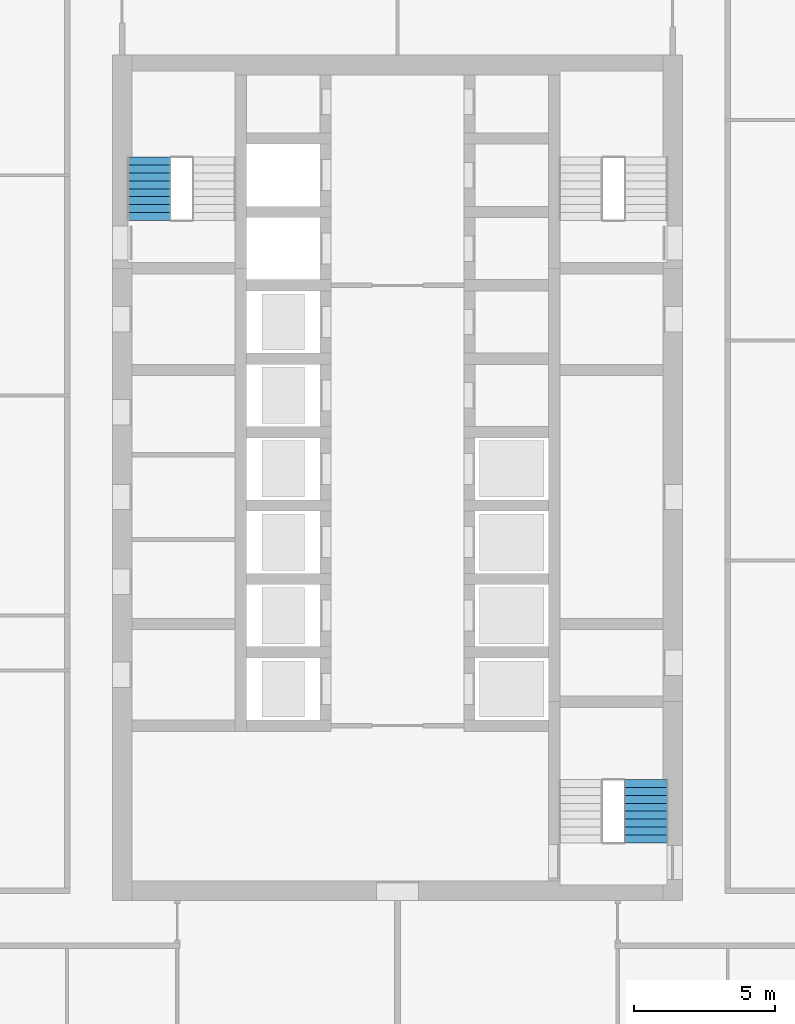
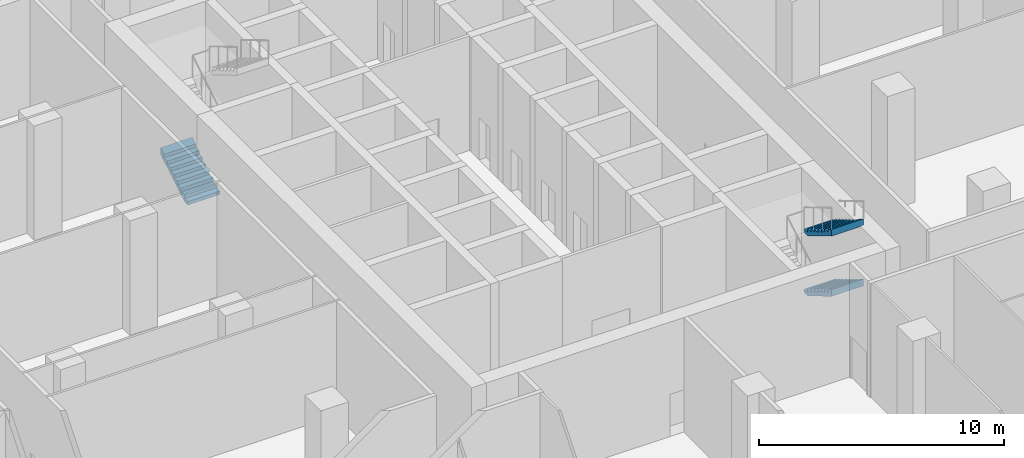
# One storey, part 19 of 32: 3 stair flights, 2 elements without a shape of their own.
"""IFC4 building model written with IfcOpenShell, lengths in metres."""

from ifc_helpers import new_model, si_unit, direction, frame, origin, place, context, subcontext, project, spatial, triangles, material, type_object, element, aggregate, save


model = new_model("IFC4")

# Units and contexts
model_context = context("Model", 3, precision=1e-05, world=origin(), true_north=direction((0.0, 1.0)))
body_context = subcontext(model_context, "Body", "Model", "MODEL_VIEW")
ifc_project = project(units=[si_unit("LENGTHUNIT", "METRE"), si_unit("AREAUNIT", "SQUARE_METRE"), si_unit("VOLUMEUNIT", "CUBIC_METRE"), si_unit("PLANEANGLEUNIT", "RADIAN"), si_unit("MASSUNIT", "GRAM", prefix="KILO")], contexts=[model_context])

# Site, building, storey
site_placement = place(None, origin())
site = spatial("IfcSite", under=ifc_project, at=site_placement, CompositionType="ELEMENT")
building_placement = place(site_placement, origin())
building = spatial("IfcBuilding", under=site, at=building_placement, Name="Ludao Terraces", CompositionType="ELEMENT")
storey_placement = place(building_placement, origin())
storey = spatial("IfcBuildingStorey", under=building, at=storey_placement, Name="L00", CompositionType="ELEMENT", Elevation=0.0)

# Stair, stair flight
ifc_material = material(Name="Concrete C40", Category="concrete")
stair_type = type_object("IfcStairType", Name="INT Stair", PredefinedType="HALF_TURN_STAIR", material=ifc_material)
stair_1_placement = place(storey_placement, origin())
stair_1 = element("IfcStair", 1, at=stair_1_placement, inside=storey, type_object=stair_type, Name="EXIT STAIR 1", PredefinedType="HALF_TURN_STAIR")
stair_flight_type = type_object("IfcStairFlightType", Name="INT Stair flight", PredefinedType="STRAIGHT", material=ifc_material)
stair_flight_1_placement = place(storey_placement, frame((76.199951171875, 79.0, 0.0), z_axis=(0.0, 0.0, 1.0), x_axis=(0.0, 1.0, 0.0)))
stair_flight_1 = element("IfcStairFlight", 2, at=stair_flight_1_placement, type_object=stair_flight_type, Name="ST1 flight 1", NumberOfRisers=9, NumberOfTreads=8, PredefinedType="STRAIGHT", RiserHeight=0.166667, TreadLength=0.28, context=body_context, shape_type="Tessellation", body=[
    triangles([(0.0, -0.75, 0.0), (0.0, -0.5, 0.0), (0.0, -0.25, 0.0), (0.0, 0.0, 0.0), (0.0, 0.25, 0.0), (0.0, 0.5, 0.0), (0.0, 0.75, 0.0), (0.0, -0.75, 0.166748046875), (0.0, -0.5, 0.166748046875), (0.0, -0.25, 0.166748046875), (0.0, 0.0, 0.166748046875), (0.0, 0.25, 0.166748046875), (0.0, 0.5, 0.166748046875), (0.0, 0.75, 0.166748046875), (0.280029296875, -0.75, 0.166748046875), (0.280029296875, -0.5, 0.166748046875), (0.280029296875, -0.25, 0.166748046875), (0.280029296875, 0.0, 0.166748046875), (0.280029296875, 0.25, 0.166748046875), (0.280029296875, 0.5, 0.166748046875), (0.280029296875, 0.75, 0.166748046875), (0.280029296875, -0.75, 0.333251953125), (0.280029296875, -0.5, 0.333251953125), (0.280029296875, -0.25, 0.333251953125), (0.280029296875, 0.0, 0.333251953125), (0.280029296875, 0.25, 0.333251953125), (0.280029296875, 0.5, 0.333251953125), (0.280029296875, 0.75, 0.333251953125), (0.56005859375, -0.75, 0.333251953125), (0.56005859375, -0.5, 0.333251953125), (0.56005859375, -0.25, 0.333251953125), (0.56005859375, 0.0, 0.333251953125), (0.56005859375, 0.25, 0.333251953125), (0.56005859375, 0.5, 0.333251953125), (0.56005859375, 0.75, 0.333251953125), (0.56005859375, -0.75, 0.5), (0.56005859375, -0.5, 0.5), (0.56005859375, -0.25, 0.5), (0.56005859375, 0.0, 0.5), (0.56005859375, 0.25, 0.5), (0.56005859375, 0.5, 0.5), (0.56005859375, 0.75, 0.5), (0.840087890625, -0.75, 0.5), (0.840087890625, -0.5, 0.5), (0.840087890625, -0.25, 0.5), (0.840087890625, 0.0, 0.5), (0.840087890625, 0.25, 0.5), (0.840087890625, 0.5, 0.5), (0.840087890625, 0.75, 0.5), (0.840087890625, -0.75, 0.666748046875), (0.840087890625, -0.5, 0.666748046875), (0.840087890625, -0.25, 0.666748046875), (0.840087890625, 0.0, 0.666748046875), (0.840087890625, 0.25, 0.666748046875), (0.840087890625, 0.5, 0.666748046875), (0.840087890625, 0.75, 0.666748046875), (1.1201171875, -0.75, 0.666748046875), (1.1201171875, -0.5, 0.666748046875), (1.1201171875, -0.25, 0.666748046875), (1.1201171875, 0.0, 0.666748046875), (1.1201171875, 0.25, 0.666748046875), (1.1201171875, 0.5, 0.666748046875), (1.1201171875, 0.75, 0.666748046875), (1.1201171875, -0.75, 0.833251953125), (1.1201171875, -0.5, 0.833251953125), (1.1201171875, -0.25, 0.833251953125), (1.1201171875, 0.0, 0.833251953125), (1.1201171875, 0.25, 0.833251953125), (1.1201171875, 0.5, 0.833251953125), (1.1201171875, 0.75, 0.833251953125), (1.39990234375, -0.75, 0.833251953125), (1.39990234375, -0.5, 0.833251953125), (1.39990234375, -0.25, 0.833251953125), (1.39990234375, 0.0, 0.833251953125), (1.39990234375, 0.25, 0.833251953125), (1.39990234375, 0.5, 0.833251953125), (1.39990234375, 0.75, 0.833251953125), (1.39990234375, -0.75, 1.0), (1.39990234375, -0.5, 1.0), (1.39990234375, -0.25, 1.0), (1.39990234375, 0.0, 1.0), (1.39990234375, 0.25, 1.0), (1.39990234375, 0.5, 1.0), (1.39990234375, 0.75, 1.0), (1.679931640625, -0.75, 1.0), (1.679931640625, -0.5, 1.0), (1.679931640625, -0.25, 1.0), (1.679931640625, 0.0, 1.0), (1.679931640625, 0.25, 1.0), (1.679931640625, 0.5, 1.0), (1.679931640625, 0.75, 1.0), (1.679931640625, -0.75, 1.166748046875), (1.679931640625, -0.5, 1.166748046875), (1.679931640625, -0.25, 1.166748046875), (1.679931640625, 0.0, 1.166748046875), (1.679931640625, 0.25, 1.166748046875), (1.679931640625, 0.5, 1.166748046875), (1.679931640625, 0.75, 1.166748046875), (1.9599609375, -0.75, 1.166748046875), (1.9599609375, -0.5, 1.166748046875), (1.9599609375, -0.25, 1.166748046875), (1.9599609375, 0.0, 1.166748046875), (1.9599609375, 0.25, 1.166748046875), (1.9599609375, 0.5, 1.166748046875), (1.9599609375, 0.75, 1.166748046875), (1.9599609375, -0.75, 1.333251953125), (1.9599609375, -0.5, 1.333251953125), (1.9599609375, -0.25, 1.333251953125), (1.9599609375, 0.0, 1.333251953125), (1.9599609375, 0.25, 1.333251953125), (1.9599609375, 0.5, 1.333251953125), (1.9599609375, 0.75, 1.333251953125), (2.239990234375, -0.75, 1.5), (2.239990234375, -0.5, 1.5), (2.239990234375, -0.25, 1.5), (2.239990234375, 0.0, 1.5), (2.239990234375, 0.25, 1.5), (2.239990234375, 0.5, 1.5), (2.239990234375, 0.75, 1.5), (2.239990234375, -0.75, 1.158935546875), (2.239990234375, -0.5, 1.158935546875), (2.239990234375, -0.25, 1.158935546875), (2.239990234375, 0.0, 1.158935546875), (2.239990234375, 0.25, 1.158935546875), (2.239990234375, 0.5, 1.158935546875), (2.239990234375, 0.75, 1.158935546875), (0.29296875, -0.75, 0.0), (0.29296875, -0.5, 0.0), (0.29296875, -0.25, 0.0), (0.29296875, 0.0, 0.0), (0.29296875, 0.25, 0.0), (0.29296875, 0.5, 0.0), (0.29296875, 0.75, 0.0)], [[1, 127, 120], [7, 126, 133], [120, 113, 106], [126, 112, 119], [120, 106, 99], [126, 105, 112], [120, 99, 92], [126, 98, 105], [120, 92, 85], [126, 91, 98], [85, 78, 71], [91, 77, 84], [120, 85, 71], [126, 77, 91], [71, 64, 57], [77, 63, 70], [120, 71, 57], [126, 63, 77], [57, 50, 43], [63, 49, 56], [120, 57, 43], [126, 49, 63], [43, 36, 29], [49, 35, 42], [120, 43, 29], [126, 35, 49], [1, 120, 29], [7, 35, 126], [29, 22, 15], [35, 21, 28], [1, 29, 15], [7, 21, 35], [15, 8, 1], [21, 7, 14], [1, 9, 2], [1, 8, 9], [2, 10, 3], [2, 9, 10], [3, 11, 4], [3, 10, 11], [4, 12, 5], [4, 11, 12], [5, 13, 6], [5, 12, 13], [6, 14, 7], [6, 13, 14], [8, 16, 9], [8, 15, 16], [9, 17, 10], [9, 16, 17], [10, 18, 11], [10, 17, 18], [11, 19, 12], [11, 18, 19], [12, 20, 13], [12, 19, 20], [13, 21, 14], [13, 20, 21], [15, 23, 16], [15, 22, 23], [16, 24, 17], [16, 23, 24], [17, 25, 18], [17, 24, 25], [18, 26, 19], [18, 25, 26], [19, 27, 20], [19, 26, 27], [20, 28, 21], [20, 27, 28], [22, 30, 23], [22, 29, 30], [23, 31, 24], [23, 30, 31], [24, 32, 25], [24, 31, 32], [25, 33, 26], [25, 32, 33], [26, 34, 27], [26, 33, 34], [27, 35, 28], [27, 34, 35], [29, 37, 30], [29, 36, 37], [30, 38, 31], [30, 37, 38], [31, 39, 32], [31, 38, 39], [32, 40, 33], [32, 39, 40], [33, 41, 34], [33, 40, 41], [34, 42, 35], [34, 41, 42], [36, 44, 37], [36, 43, 44], [37, 45, 38], [37, 44, 45], [38, 46, 39], [38, 45, 46], [39, 47, 40], [39, 46, 47], [40, 48, 41], [40, 47, 48], [41, 49, 42], [41, 48, 49], [43, 51, 44], [43, 50, 51], [44, 52, 45], [44, 51, 52], [45, 53, 46], [45, 52, 53], [46, 54, 47], [46, 53, 54], [47, 55, 48], [47, 54, 55], [48, 56, 49], [48, 55, 56], [50, 58, 51], [50, 57, 58], [51, 59, 52], [51, 58, 59], [52, 60, 53], [52, 59, 60], [53, 61, 54], [53, 60, 61], [54, 62, 55], [54, 61, 62], [55, 63, 56], [55, 62, 63], [57, 65, 58], [57, 64, 65], [58, 66, 59], [58, 65, 66], [59, 67, 60], [59, 66, 67], [60, 68, 61], [60, 67, 68], [61, 69, 62], [61, 68, 69], [62, 70, 63], [62, 69, 70], [64, 72, 65], [64, 71, 72], [65, 73, 66], [65, 72, 73], [66, 74, 67], [66, 73, 74], [67, 75, 68], [67, 74, 75], [68, 76, 69], [68, 75, 76], [69, 77, 70], [69, 76, 77], [71, 79, 72], [71, 78, 79], [72, 80, 73], [72, 79, 80], [73, 81, 74], [73, 80, 81], [74, 82, 75], [74, 81, 82], [75, 83, 76], [75, 82, 83], [76, 84, 77], [76, 83, 84], [78, 86, 79], [78, 85, 86], [79, 87, 80], [79, 86, 87], [80, 88, 81], [80, 87, 88], [81, 89, 82], [81, 88, 89], [82, 90, 83], [82, 89, 90], [83, 91, 84], [83, 90, 91], [85, 93, 86], [85, 92, 93], [86, 94, 87], [86, 93, 94], [87, 95, 88], [87, 94, 95], [88, 96, 89], [88, 95, 96], [89, 97, 90], [89, 96, 97], [90, 98, 91], [90, 97, 98], [92, 100, 93], [92, 99, 100], [93, 101, 94], [93, 100, 101], [94, 102, 95], [94, 101, 102], [95, 103, 96], [95, 102, 103], [96, 104, 97], [96, 103, 104], [97, 105, 98], [97, 104, 105], [99, 107, 100], [99, 106, 107], [100, 108, 101], [100, 107, 108], [101, 109, 102], [101, 108, 109], [102, 110, 103], [102, 109, 110], [103, 111, 104], [103, 110, 111], [104, 112, 105], [104, 111, 112], [106, 114, 107], [106, 113, 114], [107, 115, 108], [107, 114, 115], [108, 116, 109], [108, 115, 116], [109, 117, 110], [109, 116, 117], [110, 118, 111], [110, 117, 118], [111, 119, 112], [111, 118, 119], [113, 121, 114], [113, 120, 121], [114, 122, 115], [114, 121, 122], [115, 123, 116], [115, 122, 123], [116, 124, 117], [116, 123, 124], [117, 125, 118], [117, 124, 125], [118, 126, 119], [118, 125, 126], [120, 128, 121], [120, 127, 128], [121, 129, 122], [121, 128, 129], [122, 130, 123], [122, 129, 130], [123, 131, 124], [123, 130, 131], [124, 132, 125], [124, 131, 132], [125, 133, 126], [125, 132, 133], [127, 2, 128], [127, 1, 2], [128, 3, 129], [128, 2, 3], [129, 4, 130], [129, 3, 4], [130, 5, 131], [130, 4, 5], [131, 6, 132], [131, 5, 6], [132, 7, 133], [132, 6, 7]], closed=True),
])
aggregate(stair_1, [stair_flight_1])

# Stair, stair flights
stair_2_placement = place(storey_placement, origin())
stair_2 = element("IfcStair", 3, at=stair_2_placement, inside=storey, type_object=stair_type, Name="EXIT STAIR 3", PredefinedType="HALF_TURN_STAIR")
stair_flight_2_placement = place(storey_placement, frame((93.800048828125, 59.18994140625, 1.5), z_axis=(0.0, 0.0, 1.0), x_axis=(0.0, -1.0, 0.0)))
stair_flight_2 = element("IfcStairFlight", 4, at=stair_flight_2_placement, type_object=stair_flight_type, Name="ST3 flight 2", NumberOfRisers=9, NumberOfTreads=8, PredefinedType="STRAIGHT", RiserHeight=0.166667, TreadLength=0.28, context=body_context, shape_type="Tessellation", body=[
    triangles([(0.0, -0.75, 0.0), (0.0, -0.5, 0.0), (0.0, -0.25, 0.0), (0.0, 0.0, 0.0), (0.0, 0.25, 0.0), (0.0, 0.5, 0.0), (0.0, 0.75, 0.0), (0.0, -0.75, 0.166748046875), (0.0, -0.5, 0.166748046875), (0.0, -0.25, 0.166748046875), (0.0, 0.0, 0.166748046875), (0.0, 0.25, 0.166748046875), (0.0, 0.5, 0.166748046875), (0.0, 0.75, 0.166748046875), (0.280029296875, -0.75, 0.166748046875), (0.280029296875, -0.5, 0.166748046875), (0.280029296875, -0.25, 0.166748046875), (0.280029296875, 0.0, 0.166748046875), (0.280029296875, 0.25, 0.166748046875), (0.280029296875, 0.5, 0.166748046875), (0.280029296875, 0.75, 0.166748046875), (0.280029296875, -0.75, 0.333251953125), (0.280029296875, -0.5, 0.333251953125), (0.280029296875, -0.25, 0.333251953125), (0.280029296875, 0.0, 0.333251953125), (0.280029296875, 0.25, 0.333251953125), (0.280029296875, 0.5, 0.333251953125), (0.280029296875, 0.75, 0.333251953125), (0.56005859375, -0.75, 0.333251953125), (0.56005859375, -0.5, 0.333251953125), (0.56005859375, -0.25, 0.333251953125), (0.56005859375, 0.0, 0.333251953125), (0.56005859375, 0.25, 0.333251953125), (0.56005859375, 0.5, 0.333251953125), (0.56005859375, 0.75, 0.333251953125), (0.56005859375, -0.75, 0.5), (0.56005859375, -0.5, 0.5), (0.56005859375, -0.25, 0.5), (0.56005859375, 0.0, 0.5), (0.56005859375, 0.25, 0.5), (0.56005859375, 0.5, 0.5), (0.56005859375, 0.75, 0.5), (0.840087890625, -0.75, 0.5), (0.840087890625, -0.5, 0.5), (0.840087890625, -0.25, 0.5), (0.840087890625, 0.0, 0.5), (0.840087890625, 0.25, 0.5), (0.840087890625, 0.5, 0.5), (0.840087890625, 0.75, 0.5), (0.840087890625, -0.75, 0.666748046875), (0.840087890625, -0.5, 0.666748046875), (0.840087890625, -0.25, 0.666748046875), (0.840087890625, 0.0, 0.666748046875), (0.840087890625, 0.25, 0.666748046875), (0.840087890625, 0.5, 0.666748046875), (0.840087890625, 0.75, 0.666748046875), (1.1201171875, -0.75, 0.666748046875), (1.1201171875, -0.5, 0.666748046875), (1.1201171875, -0.25, 0.666748046875), (1.1201171875, 0.0, 0.666748046875), (1.1201171875, 0.25, 0.666748046875), (1.1201171875, 0.5, 0.666748046875), (1.1201171875, 0.75, 0.666748046875), (1.1201171875, -0.75, 0.833251953125), (1.1201171875, -0.5, 0.833251953125), (1.1201171875, -0.25, 0.833251953125), (1.1201171875, 0.0, 0.833251953125), (1.1201171875, 0.25, 0.833251953125), (1.1201171875, 0.5, 0.833251953125), (1.1201171875, 0.75, 0.833251953125), (1.39990234375, -0.75, 0.833251953125), (1.39990234375, -0.5, 0.833251953125), (1.39990234375, -0.25, 0.833251953125), (1.39990234375, 0.0, 0.833251953125), (1.39990234375, 0.25, 0.833251953125), (1.39990234375, 0.5, 0.833251953125), (1.39990234375, 0.75, 0.833251953125), (1.39990234375, -0.75, 1.0), (1.39990234375, -0.5, 1.0), (1.39990234375, -0.25, 1.0), (1.39990234375, 0.0, 1.0), (1.39990234375, 0.25, 1.0), (1.39990234375, 0.5, 1.0), (1.39990234375, 0.75, 1.0), (1.679931640625, -0.75, 1.0), (1.679931640625, -0.5, 1.0), (1.679931640625, -0.25, 1.0), (1.679931640625, 0.0, 1.0), (1.679931640625, 0.25, 1.0), (1.679931640625, 0.5, 1.0), (1.679931640625, 0.75, 1.0), (1.679931640625, -0.75, 1.166748046875), (1.679931640625, -0.5, 1.166748046875), (1.679931640625, -0.25, 1.166748046875), (1.679931640625, 0.0, 1.166748046875), (1.679931640625, 0.25, 1.166748046875), (1.679931640625, 0.5, 1.166748046875), (1.679931640625, 0.75, 1.166748046875), (1.9599609375, -0.75, 1.166748046875), (1.9599609375, -0.5, 1.166748046875), (1.9599609375, -0.25, 1.166748046875), (1.9599609375, 0.0, 1.166748046875), (1.9599609375, 0.25, 1.166748046875), (1.9599609375, 0.5, 1.166748046875), (1.9599609375, 0.75, 1.166748046875), (1.9599609375, -0.75, 1.333251953125), (1.9599609375, -0.5, 1.333251953125), (1.9599609375, -0.25, 1.333251953125), (1.9599609375, 0.0, 1.333251953125), (1.9599609375, 0.25, 1.333251953125), (1.9599609375, 0.5, 1.333251953125), (1.9599609375, 0.75, 1.333251953125), (2.239990234375, -0.75, 1.5), (2.239990234375, -0.5, 1.5), (2.239990234375, -0.25, 1.5), (2.239990234375, 0.0, 1.5), (2.239990234375, 0.25, 1.5), (2.239990234375, 0.5, 1.5), (2.239990234375, 0.75, 1.5), (2.239990234375, -0.75, 1.158935546875), (2.239990234375, -0.5, 1.158935546875), (2.239990234375, -0.25, 1.158935546875), (2.239990234375, 0.0, 1.158935546875), (2.239990234375, 0.25, 1.158935546875), (2.239990234375, 0.5, 1.158935546875), (2.239990234375, 0.75, 1.158935546875), (0.29296875, -0.75, 0.0), (0.29296875, -0.5, 0.0), (0.29296875, -0.25, 0.0), (0.29296875, 0.0, 0.0), (0.29296875, 0.25, 0.0), (0.29296875, 0.5, 0.0), (0.29296875, 0.75, 0.0)], [[1, 127, 120], [7, 126, 133], [120, 113, 106], [126, 112, 119], [120, 106, 99], [126, 105, 112], [120, 99, 92], [126, 98, 105], [120, 92, 85], [126, 91, 98], [85, 78, 71], [91, 77, 84], [120, 85, 71], [126, 77, 91], [71, 64, 57], [77, 63, 70], [120, 71, 57], [126, 63, 77], [57, 50, 43], [63, 49, 56], [120, 57, 43], [126, 49, 63], [43, 36, 29], [49, 35, 42], [120, 43, 29], [126, 35, 49], [1, 120, 29], [7, 35, 126], [29, 22, 15], [35, 21, 28], [1, 29, 15], [7, 21, 35], [15, 8, 1], [21, 7, 14], [1, 9, 2], [1, 8, 9], [2, 10, 3], [2, 9, 10], [3, 11, 4], [3, 10, 11], [4, 12, 5], [4, 11, 12], [5, 13, 6], [5, 12, 13], [6, 14, 7], [6, 13, 14], [8, 16, 9], [8, 15, 16], [9, 17, 10], [9, 16, 17], [10, 18, 11], [10, 17, 18], [11, 19, 12], [11, 18, 19], [12, 20, 13], [12, 19, 20], [13, 21, 14], [13, 20, 21], [15, 23, 16], [15, 22, 23], [16, 24, 17], [16, 23, 24], [17, 25, 18], [17, 24, 25], [18, 26, 19], [18, 25, 26], [19, 27, 20], [19, 26, 27], [20, 28, 21], [20, 27, 28], [22, 30, 23], [22, 29, 30], [23, 31, 24], [23, 30, 31], [24, 32, 25], [24, 31, 32], [25, 33, 26], [25, 32, 33], [26, 34, 27], [26, 33, 34], [27, 35, 28], [27, 34, 35], [29, 37, 30], [29, 36, 37], [30, 38, 31], [30, 37, 38], [31, 39, 32], [31, 38, 39], [32, 40, 33], [32, 39, 40], [33, 41, 34], [33, 40, 41], [34, 42, 35], [34, 41, 42], [36, 44, 37], [36, 43, 44], [37, 45, 38], [37, 44, 45], [38, 46, 39], [38, 45, 46], [39, 47, 40], [39, 46, 47], [40, 48, 41], [40, 47, 48], [41, 49, 42], [41, 48, 49], [43, 51, 44], [43, 50, 51], [44, 52, 45], [44, 51, 52], [45, 53, 46], [45, 52, 53], [46, 54, 47], [46, 53, 54], [47, 55, 48], [47, 54, 55], [48, 56, 49], [48, 55, 56], [50, 58, 51], [50, 57, 58], [51, 59, 52], [51, 58, 59], [52, 60, 53], [52, 59, 60], [53, 61, 54], [53, 60, 61], [54, 62, 55], [54, 61, 62], [55, 63, 56], [55, 62, 63], [57, 65, 58], [57, 64, 65], [58, 66, 59], [58, 65, 66], [59, 67, 60], [59, 66, 67], [60, 68, 61], [60, 67, 68], [61, 69, 62], [61, 68, 69], [62, 70, 63], [62, 69, 70], [64, 72, 65], [64, 71, 72], [65, 73, 66], [65, 72, 73], [66, 74, 67], [66, 73, 74], [67, 75, 68], [67, 74, 75], [68, 76, 69], [68, 75, 76], [69, 77, 70], [69, 76, 77], [71, 79, 72], [71, 78, 79], [72, 80, 73], [72, 79, 80], [73, 81, 74], [73, 80, 81], [74, 82, 75], [74, 81, 82], [75, 83, 76], [75, 82, 83], [76, 84, 77], [76, 83, 84], [78, 86, 79], [78, 85, 86], [79, 87, 80], [79, 86, 87], [80, 88, 81], [80, 87, 88], [81, 89, 82], [81, 88, 89], [82, 90, 83], [82, 89, 90], [83, 91, 84], [83, 90, 91], [85, 93, 86], [85, 92, 93], [86, 94, 87], [86, 93, 94], [87, 95, 88], [87, 94, 95], [88, 96, 89], [88, 95, 96], [89, 97, 90], [89, 96, 97], [90, 98, 91], [90, 97, 98], [92, 100, 93], [92, 99, 100], [93, 101, 94], [93, 100, 101], [94, 102, 95], [94, 101, 102], [95, 103, 96], [95, 102, 103], [96, 104, 97], [96, 103, 104], [97, 105, 98], [97, 104, 105], [99, 107, 100], [99, 106, 107], [100, 108, 101], [100, 107, 108], [101, 109, 102], [101, 108, 109], [102, 110, 103], [102, 109, 110], [103, 111, 104], [103, 110, 111], [104, 112, 105], [104, 111, 112], [106, 114, 107], [106, 113, 114], [107, 115, 108], [107, 114, 115], [108, 116, 109], [108, 115, 116], [109, 117, 110], [109, 116, 117], [110, 118, 111], [110, 117, 118], [111, 119, 112], [111, 118, 119], [113, 121, 114], [113, 120, 121], [114, 122, 115], [114, 121, 122], [115, 123, 116], [115, 122, 123], [116, 124, 117], [116, 123, 124], [117, 125, 118], [117, 124, 125], [118, 126, 119], [118, 125, 126], [120, 128, 121], [120, 127, 128], [121, 129, 122], [121, 128, 129], [122, 130, 123], [122, 129, 130], [123, 131, 124], [123, 130, 131], [124, 132, 125], [124, 131, 132], [125, 133, 126], [125, 132, 133], [127, 2, 128], [127, 1, 2], [128, 3, 129], [128, 2, 3], [129, 4, 130], [129, 3, 4], [130, 5, 131], [130, 4, 5], [131, 6, 132], [131, 5, 6], [132, 7, 133], [132, 6, 7]], closed=True),
])
stair_flight_3_placement = place(storey_placement, frame((93.800048828125, 59.18994140625, 4.5), z_axis=(0.0, 0.0, 1.0), x_axis=(0.0, -1.0, 0.0)))
stair_flight_3 = element("IfcStairFlight", 5, at=stair_flight_3_placement, type_object=stair_flight_type, Name="ST3 flight 4", NumberOfRisers=9, NumberOfTreads=8, PredefinedType="STRAIGHT", RiserHeight=0.166667, TreadLength=0.28, context=body_context, shape_type="Tessellation", body=[
    triangles([(0.0, -0.75, 0.0), (0.0, -0.5, 0.0), (0.0, -0.25, 0.0), (0.0, 0.0, 0.0), (0.0, 0.25, 0.0), (0.0, 0.5, 0.0), (0.0, 0.75, 0.0), (0.0, -0.75, 0.166748046875), (0.0, -0.5, 0.166748046875), (0.0, -0.25, 0.166748046875), (0.0, 0.0, 0.166748046875), (0.0, 0.25, 0.166748046875), (0.0, 0.5, 0.166748046875), (0.0, 0.75, 0.166748046875), (0.280029296875, -0.75, 0.166748046875), (0.280029296875, -0.5, 0.166748046875), (0.280029296875, -0.25, 0.166748046875), (0.280029296875, 0.0, 0.166748046875), (0.280029296875, 0.25, 0.166748046875), (0.280029296875, 0.5, 0.166748046875), (0.280029296875, 0.75, 0.166748046875), (0.280029296875, -0.75, 0.333251953125), (0.280029296875, -0.5, 0.333251953125), (0.280029296875, -0.25, 0.333251953125), (0.280029296875, 0.0, 0.333251953125), (0.280029296875, 0.25, 0.333251953125), (0.280029296875, 0.5, 0.333251953125), (0.280029296875, 0.75, 0.333251953125), (0.56005859375, -0.75, 0.333251953125), (0.56005859375, -0.5, 0.333251953125), (0.56005859375, -0.25, 0.333251953125), (0.56005859375, 0.0, 0.333251953125), (0.56005859375, 0.25, 0.333251953125), (0.56005859375, 0.5, 0.333251953125), (0.56005859375, 0.75, 0.333251953125), (0.56005859375, -0.75, 0.5), (0.56005859375, -0.5, 0.5), (0.56005859375, -0.25, 0.5), (0.56005859375, 0.0, 0.5), (0.56005859375, 0.25, 0.5), (0.56005859375, 0.5, 0.5), (0.56005859375, 0.75, 0.5), (0.840087890625, -0.75, 0.5), (0.840087890625, -0.5, 0.5), (0.840087890625, -0.25, 0.5), (0.840087890625, 0.0, 0.5), (0.840087890625, 0.25, 0.5), (0.840087890625, 0.5, 0.5), (0.840087890625, 0.75, 0.5), (0.840087890625, -0.75, 0.666748046875), (0.840087890625, -0.5, 0.666748046875), (0.840087890625, -0.25, 0.666748046875), (0.840087890625, 0.0, 0.666748046875), (0.840087890625, 0.25, 0.666748046875), (0.840087890625, 0.5, 0.666748046875), (0.840087890625, 0.75, 0.666748046875), (1.1201171875, -0.75, 0.666748046875), (1.1201171875, -0.5, 0.666748046875), (1.1201171875, -0.25, 0.666748046875), (1.1201171875, 0.0, 0.666748046875), (1.1201171875, 0.25, 0.666748046875), (1.1201171875, 0.5, 0.666748046875), (1.1201171875, 0.75, 0.666748046875), (1.1201171875, -0.75, 0.833251953125), (1.1201171875, -0.5, 0.833251953125), (1.1201171875, -0.25, 0.833251953125), (1.1201171875, 0.0, 0.833251953125), (1.1201171875, 0.25, 0.833251953125), (1.1201171875, 0.5, 0.833251953125), (1.1201171875, 0.75, 0.833251953125), (1.39990234375, -0.75, 0.833251953125), (1.39990234375, -0.5, 0.833251953125), (1.39990234375, -0.25, 0.833251953125), (1.39990234375, 0.0, 0.833251953125), (1.39990234375, 0.25, 0.833251953125), (1.39990234375, 0.5, 0.833251953125), (1.39990234375, 0.75, 0.833251953125), (1.39990234375, -0.75, 1.0), (1.39990234375, -0.5, 1.0), (1.39990234375, -0.25, 1.0), (1.39990234375, 0.0, 1.0), (1.39990234375, 0.25, 1.0), (1.39990234375, 0.5, 1.0), (1.39990234375, 0.75, 1.0), (1.679931640625, -0.75, 1.0), (1.679931640625, -0.5, 1.0), (1.679931640625, -0.25, 1.0), (1.679931640625, 0.0, 1.0), (1.679931640625, 0.25, 1.0), (1.679931640625, 0.5, 1.0), (1.679931640625, 0.75, 1.0), (1.679931640625, -0.75, 1.166748046875), (1.679931640625, -0.5, 1.166748046875), (1.679931640625, -0.25, 1.166748046875), (1.679931640625, 0.0, 1.166748046875), (1.679931640625, 0.25, 1.166748046875), (1.679931640625, 0.5, 1.166748046875), (1.679931640625, 0.75, 1.166748046875), (1.9599609375, -0.75, 1.166748046875), (1.9599609375, -0.5, 1.166748046875), (1.9599609375, -0.25, 1.166748046875), (1.9599609375, 0.0, 1.166748046875), (1.9599609375, 0.25, 1.166748046875), (1.9599609375, 0.5, 1.166748046875), (1.9599609375, 0.75, 1.166748046875), (1.9599609375, -0.75, 1.333251953125), (1.9599609375, -0.5, 1.333251953125), (1.9599609375, -0.25, 1.333251953125), (1.9599609375, 0.0, 1.333251953125), (1.9599609375, 0.25, 1.333251953125), (1.9599609375, 0.5, 1.333251953125), (1.9599609375, 0.75, 1.333251953125), (2.239990234375, -0.75, 1.5), (2.239990234375, -0.5, 1.5), (2.239990234375, -0.25, 1.5), (2.239990234375, 0.0, 1.5), (2.239990234375, 0.25, 1.5), (2.239990234375, 0.5, 1.5), (2.239990234375, 0.75, 1.5), (2.239990234375, -0.75, 1.158935546875), (2.239990234375, -0.5, 1.158935546875), (2.239990234375, -0.25, 1.158935546875), (2.239990234375, 0.0, 1.158935546875), (2.239990234375, 0.25, 1.158935546875), (2.239990234375, 0.5, 1.158935546875), (2.239990234375, 0.75, 1.158935546875), (0.29296875, -0.75, 0.0), (0.29296875, -0.5, 0.0), (0.29296875, -0.25, 0.0), (0.29296875, 0.0, 0.0), (0.29296875, 0.25, 0.0), (0.29296875, 0.5, 0.0), (0.29296875, 0.75, 0.0)], [[1, 127, 120], [7, 126, 133], [120, 113, 106], [126, 112, 119], [120, 106, 99], [126, 105, 112], [120, 99, 92], [126, 98, 105], [120, 92, 85], [126, 91, 98], [85, 78, 71], [91, 77, 84], [120, 85, 71], [126, 77, 91], [71, 64, 57], [77, 63, 70], [120, 71, 57], [126, 63, 77], [57, 50, 43], [63, 49, 56], [120, 57, 43], [126, 49, 63], [43, 36, 29], [49, 35, 42], [120, 43, 29], [126, 35, 49], [1, 120, 29], [7, 35, 126], [29, 22, 15], [35, 21, 28], [1, 29, 15], [7, 21, 35], [15, 8, 1], [21, 7, 14], [1, 9, 2], [1, 8, 9], [2, 10, 3], [2, 9, 10], [3, 11, 4], [3, 10, 11], [4, 12, 5], [4, 11, 12], [5, 13, 6], [5, 12, 13], [6, 14, 7], [6, 13, 14], [8, 16, 9], [8, 15, 16], [9, 17, 10], [9, 16, 17], [10, 18, 11], [10, 17, 18], [11, 19, 12], [11, 18, 19], [12, 20, 13], [12, 19, 20], [13, 21, 14], [13, 20, 21], [15, 23, 16], [15, 22, 23], [16, 24, 17], [16, 23, 24], [17, 25, 18], [17, 24, 25], [18, 26, 19], [18, 25, 26], [19, 27, 20], [19, 26, 27], [20, 28, 21], [20, 27, 28], [22, 30, 23], [22, 29, 30], [23, 31, 24], [23, 30, 31], [24, 32, 25], [24, 31, 32], [25, 33, 26], [25, 32, 33], [26, 34, 27], [26, 33, 34], [27, 35, 28], [27, 34, 35], [29, 37, 30], [29, 36, 37], [30, 38, 31], [30, 37, 38], [31, 39, 32], [31, 38, 39], [32, 40, 33], [32, 39, 40], [33, 41, 34], [33, 40, 41], [34, 42, 35], [34, 41, 42], [36, 44, 37], [36, 43, 44], [37, 45, 38], [37, 44, 45], [38, 46, 39], [38, 45, 46], [39, 47, 40], [39, 46, 47], [40, 48, 41], [40, 47, 48], [41, 49, 42], [41, 48, 49], [43, 51, 44], [43, 50, 51], [44, 52, 45], [44, 51, 52], [45, 53, 46], [45, 52, 53], [46, 54, 47], [46, 53, 54], [47, 55, 48], [47, 54, 55], [48, 56, 49], [48, 55, 56], [50, 58, 51], [50, 57, 58], [51, 59, 52], [51, 58, 59], [52, 60, 53], [52, 59, 60], [53, 61, 54], [53, 60, 61], [54, 62, 55], [54, 61, 62], [55, 63, 56], [55, 62, 63], [57, 65, 58], [57, 64, 65], [58, 66, 59], [58, 65, 66], [59, 67, 60], [59, 66, 67], [60, 68, 61], [60, 67, 68], [61, 69, 62], [61, 68, 69], [62, 70, 63], [62, 69, 70], [64, 72, 65], [64, 71, 72], [65, 73, 66], [65, 72, 73], [66, 74, 67], [66, 73, 74], [67, 75, 68], [67, 74, 75], [68, 76, 69], [68, 75, 76], [69, 77, 70], [69, 76, 77], [71, 79, 72], [71, 78, 79], [72, 80, 73], [72, 79, 80], [73, 81, 74], [73, 80, 81], [74, 82, 75], [74, 81, 82], [75, 83, 76], [75, 82, 83], [76, 84, 77], [76, 83, 84], [78, 86, 79], [78, 85, 86], [79, 87, 80], [79, 86, 87], [80, 88, 81], [80, 87, 88], [81, 89, 82], [81, 88, 89], [82, 90, 83], [82, 89, 90], [83, 91, 84], [83, 90, 91], [85, 93, 86], [85, 92, 93], [86, 94, 87], [86, 93, 94], [87, 95, 88], [87, 94, 95], [88, 96, 89], [88, 95, 96], [89, 97, 90], [89, 96, 97], [90, 98, 91], [90, 97, 98], [92, 100, 93], [92, 99, 100], [93, 101, 94], [93, 100, 101], [94, 102, 95], [94, 101, 102], [95, 103, 96], [95, 102, 103], [96, 104, 97], [96, 103, 104], [97, 105, 98], [97, 104, 105], [99, 107, 100], [99, 106, 107], [100, 108, 101], [100, 107, 108], [101, 109, 102], [101, 108, 109], [102, 110, 103], [102, 109, 110], [103, 111, 104], [103, 110, 111], [104, 112, 105], [104, 111, 112], [106, 114, 107], [106, 113, 114], [107, 115, 108], [107, 114, 115], [108, 116, 109], [108, 115, 116], [109, 117, 110], [109, 116, 117], [110, 118, 111], [110, 117, 118], [111, 119, 112], [111, 118, 119], [113, 121, 114], [113, 120, 121], [114, 122, 115], [114, 121, 122], [115, 123, 116], [115, 122, 123], [116, 124, 117], [116, 123, 124], [117, 125, 118], [117, 124, 125], [118, 126, 119], [118, 125, 126], [120, 128, 121], [120, 127, 128], [121, 129, 122], [121, 128, 129], [122, 130, 123], [122, 129, 130], [123, 131, 124], [123, 130, 131], [124, 132, 125], [124, 131, 132], [125, 133, 126], [125, 132, 133], [127, 2, 128], [127, 1, 2], [128, 3, 129], [128, 2, 3], [129, 4, 130], [129, 3, 4], [130, 5, 131], [130, 4, 5], [131, 6, 132], [131, 5, 6], [132, 7, 133], [132, 6, 7]], closed=True),
])
aggregate(stair_2, [stair_flight_2, stair_flight_3])

save(model, "model.ifc")
